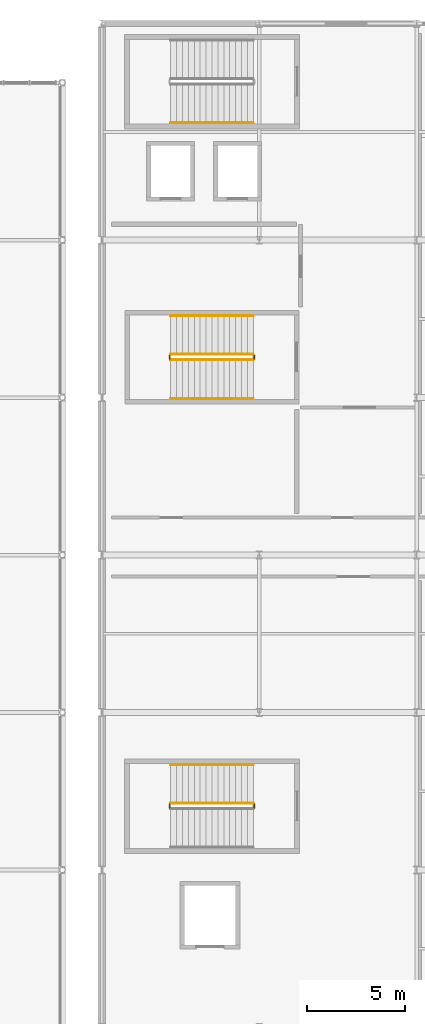
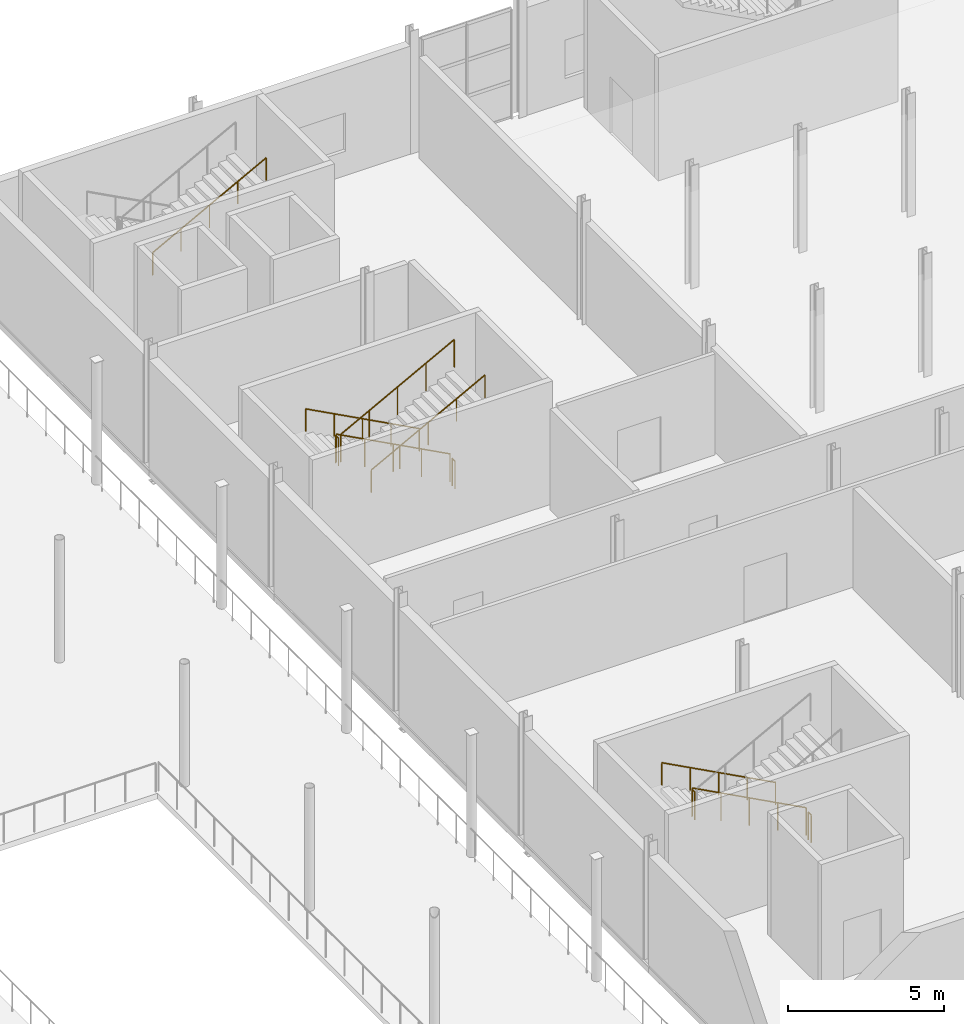
# One storey, part 138 of 143: 11 railings.
"""IFC4 building model written with IfcOpenShell, lengths in metres."""

from ifc_helpers import new_model, si_unit, derived_unit, direction, frame, origin, origin_2d, place, context, subcontext, project, spatial, circle, extrude, material, type_object, element, save


model = new_model("IFC4")

# Units and contexts
model_context = context("Model", 3, precision=1e-05, world=origin(), true_north=direction((0.0, 1.0)))
body_context = subcontext(model_context, "Body", "Model", "MODEL_VIEW")
ifc_project = project(units=[si_unit("LENGTHUNIT", "METRE"), si_unit("AREAUNIT", "SQUARE_METRE"), si_unit("VOLUMEUNIT", "CUBIC_METRE"), si_unit("PLANEANGLEUNIT", "RADIAN"), si_unit("MASSUNIT", "GRAM", prefix="KILO"), derived_unit("THERMALTRANSMITTANCEUNIT", [(si_unit("POWERUNIT", "WATT"), 1), (si_unit("LENGTHUNIT", "METRE"), -2), (si_unit("THERMODYNAMICTEMPERATUREUNIT", "KELVIN"), -1)])], contexts=[model_context])

# Site, building, storey
site_placement = place(None, origin())
site = spatial("IfcSite", under=ifc_project, at=site_placement, CompositionType="ELEMENT")
building_placement = place(site_placement, origin())
building = spatial("IfcBuilding", under=site, at=building_placement, Name="Keldorne Ridge Multi-Sports Centre", CompositionType="ELEMENT")
storey_placement = place(building_placement, frame((0.0, 0.0, 4.800048828125)))
storey = spatial("IfcBuildingStorey", under=building, at=storey_placement, Name="L01", CompositionType="ELEMENT", Elevation=4.800048828125)

# Railings
ifc_material_1 = material(Name="Laminated glass and stainless steel", Category="steel")
railing_type_1 = type_object("IfcRailingType", Name="RLG-BL-01", PredefinedType="BALUSTRADE", material=ifc_material_1)
railing_1_placement = place(storey_placement, frame((111.699951171875, 77.389892578125, 0.159912109375)))
element("IfcRailing", 1, at=railing_1_placement, inside=storey, type_object=railing_type_1, Name="L01 ST-02 stair guard 1", PredefinedType="BALUSTRADE", context=body_context, shape_type="SweptSolid", body=[
    extrude(circle(Radius=0.02392578125, at=origin_2d()), frame((0.0, 0.0, 1.076171875), z_axis=(-0.882351521365, 0.0, 0.470590897432), x_axis=(0.0, -1.0, 0.0)), (0.0, 0.0, 1.0), 4.760009765625),
    extrude(circle(Radius=0.02099609375, at=origin_2d()), origin(), (0.0, 0.0, 1.0), 1.052001953125),
    extrude(circle(Radius=0.02099609375, at=origin_2d()), frame((-1.050048828125, 0.0, 0.56005859375)), (0.0, 0.0, 1.0), 1.052001953125),
    extrude(circle(Radius=0.02099609375, at=origin_2d()), frame((-2.10009765625, 0.0, 1.1201171875)), (0.0, 0.0, 1.0), 1.052001953125),
    extrude(circle(Radius=0.02099609375, at=origin_2d()), frame((-3.14990234375, 0.0, 1.679931640625)), (0.0, 0.0, 1.0), 1.052001953125),
    extrude(circle(Radius=0.02099609375, at=origin_2d()), frame((-4.199951171875, 0.0, 2.239990234375)), (0.0, 0.0, 1.0), 1.052001953125),
])
for number, where, name in (
    (2, (107.449951171875, 77.340087890625, 2.39990234375), "L01 ST-02 stair guard 2"),
    (3, (111.75, 77.340087890625, 0.0), "L01 ST-02 stair guard 4"),
):
    element("IfcRailing", number, at=place(storey_placement, frame(where)), inside=storey, type_object=railing_type_1, Name=name, PredefinedType="BALUSTRADE", context=body_context, shape_type="SweptSolid", body=[
        extrude(circle(Radius=0.02392578125, at=origin_2d()), frame((0.0, 0.0, 1.076171875), z_axis=(0.0, -1.0, 0.0), x_axis=(1.0, 0.0, 0.0)), (0.0, 0.0, 1.0), 0.18017578125),
        extrude(circle(Radius=0.02099609375, at=origin_2d()), origin(), (0.0, 0.0, 1.0), 1.052001953125),
        extrude(circle(Radius=0.02099609375, at=origin_2d()), frame((0.0, -0.18017578125, 0.0)), (0.0, 0.0, 1.0), 1.052001953125),
    ])
railing_2_placement = place(storey_placement, frame((111.699951171875, 100.18994140625, 0.159912109375)))
element("IfcRailing", 4, at=railing_2_placement, inside=storey, type_object=railing_type_1, Name="L01 ST-11 stair guard 1", PredefinedType="BALUSTRADE", context=body_context, shape_type="SweptSolid", body=[
    extrude(circle(Radius=0.02392578125, at=origin_2d()), frame((0.0, 0.0, 1.076171875), z_axis=(-0.882351521365, 0.0, 0.470590897432), x_axis=(0.0, -1.0, 0.0)), (0.0, 0.0, 1.0), 4.760009765625),
    extrude(circle(Radius=0.02099609375, at=origin_2d()), origin(), (0.0, 0.0, 1.0), 1.052001953125),
    extrude(circle(Radius=0.02099609375, at=origin_2d()), frame((-1.050048828125, 0.0, 0.56005859375)), (0.0, 0.0, 1.0), 1.052001953125),
    extrude(circle(Radius=0.02099609375, at=origin_2d()), frame((-2.10009765625, 0.0, 1.1201171875)), (0.0, 0.0, 1.0), 1.052001953125),
    extrude(circle(Radius=0.02099609375, at=origin_2d()), frame((-3.14990234375, 0.0, 1.679931640625)), (0.0, 0.0, 1.0), 1.052001953125),
    extrude(circle(Radius=0.02099609375, at=origin_2d()), frame((-4.199951171875, 0.0, 2.239990234375)), (0.0, 0.0, 1.0), 1.052001953125),
])
railing_3_placement = place(storey_placement, frame((107.449951171875, 100.139892578125, 2.39990234375)))
element("IfcRailing", 5, at=railing_3_placement, inside=storey, type_object=railing_type_1, Name="L01 ST-11 stair guard 2", PredefinedType="BALUSTRADE", context=body_context, shape_type="SweptSolid", body=[
    extrude(circle(Radius=0.02392578125, at=origin_2d()), frame((0.0, 0.0, 1.076171875), z_axis=(0.0, -1.0, 0.0), x_axis=(1.0, 0.0, 0.0)), (0.0, 0.0, 1.0), 0.179931640625),
    extrude(circle(Radius=0.02099609375, at=origin_2d()), origin(), (0.0, 0.0, 1.0), 1.052001953125),
    extrude(circle(Radius=0.02099609375, at=origin_2d()), frame((0.0, -0.179931640625, 0.0)), (0.0, 0.0, 1.0), 1.052001953125),
])
railing_4_placement = place(storey_placement, frame((107.5, 99.909912109375, 2.56005859375)))
element("IfcRailing", 6, at=railing_4_placement, inside=storey, type_object=railing_type_1, Name="L01 ST-11 stair guard 3", PredefinedType="BALUSTRADE", context=body_context, shape_type="SweptSolid", body=[
    extrude(circle(Radius=0.02392578125, at=origin_2d()), frame((0.0, 0.0, 1.076171875), z_axis=(0.882351521365, 0.0, 0.470590897432), x_axis=(0.0, 1.0, 0.0)), (0.0, 0.0, 1.0), 4.760009765625),
    extrude(circle(Radius=0.02099609375, at=origin_2d()), origin(), (0.0, 0.0, 1.0), 1.052001953125),
    extrude(circle(Radius=0.02099609375, at=origin_2d()), frame((1.050048828125, 0.0, 0.56005859375)), (0.0, 0.0, 1.0), 1.052001953125),
    extrude(circle(Radius=0.02099609375, at=origin_2d()), frame((2.10009765625, 0.0, 1.1201171875)), (0.0, 0.0, 1.0), 1.052001953125),
    extrude(circle(Radius=0.02099609375, at=origin_2d()), frame((3.14990234375, 0.0, 1.679931640625)), (0.0, 0.0, 1.0), 1.052001953125),
    extrude(circle(Radius=0.02099609375, at=origin_2d()), frame((4.199951171875, 0.0, 2.239990234375)), (0.0, 0.0, 1.0), 1.052001953125),
])
railing_5_placement = place(storey_placement, frame((111.75, 100.139892578125, 0.0)))
element("IfcRailing", 7, at=railing_5_placement, inside=storey, type_object=railing_type_1, Name="L01 ST-11 stair guard 4", PredefinedType="BALUSTRADE", context=body_context, shape_type="SweptSolid", body=[
    extrude(circle(Radius=0.02392578125, at=origin_2d()), frame((0.0, 0.0, 1.076171875), z_axis=(0.0, -1.0, 0.0), x_axis=(1.0, 0.0, 0.0)), (0.0, 0.0, 1.0), 0.179931640625),
    extrude(circle(Radius=0.02099609375, at=origin_2d()), origin(), (0.0, 0.0, 1.0), 1.052001953125),
    extrude(circle(Radius=0.02099609375, at=origin_2d()), frame((0.0, -0.179931640625, 0.0)), (0.0, 0.0, 1.0), 1.052001953125),
])
ifc_material_2 = material(Name="Stainless steel", Category="steel")
railing_type_2 = type_object("IfcRailingType", Name="RLG-HR-01", PredefinedType="HANDRAIL", material=ifc_material_2)
railing_6_placement = place(storey_placement, frame((107.5, 111.949951171875, 2.56005859375)))
element("IfcRailing", 8, at=railing_6_placement, inside=storey, type_object=railing_type_2, Name="L01 ST-01 stair handrail 2", PredefinedType="HANDRAIL", context=body_context, shape_type="SweptSolid", body=[
    extrude(circle(Radius=0.02392578125, at=origin_2d()), frame((0.0, 0.0, 0.8759765625), z_axis=(0.882351521365, 0.0, 0.470590897432), x_axis=(0.0, 1.0, 0.0)), (0.0, 0.0, 1.0), 4.760009765625),
    extrude(circle(Radius=0.02099609375, at=origin_2d()), origin(), (0.0, 0.0, 1.0), 0.851806640625),
    extrude(circle(Radius=0.02099609375, at=origin_2d()), frame((1.050048828125, 0.0, 0.56005859375)), (0.0, 0.0, 1.0), 0.851806640625),
    extrude(circle(Radius=0.02099609375, at=origin_2d()), frame((2.10009765625, 0.0, 1.1201171875)), (0.0, 0.0, 1.0), 0.851806640625),
    extrude(circle(Radius=0.02099609375, at=origin_2d()), frame((3.14990234375, 0.0, 1.679931640625)), (0.0, 0.0, 1.0), 0.851806640625),
    extrude(circle(Radius=0.02099609375, at=origin_2d()), frame((4.199951171875, 0.0, 2.239990234375)), (0.0, 0.0, 1.0), 0.851806640625),
])
for number, where, name in (
    (9, (111.699951171875, 79.35009765625, 0.159912109375), "L01 ST-02 stair handrail 1"),
    (10, (111.699951171875, 102.14990234375, 0.159912109375), "L01 ST-11 stair handrail 1"),
):
    element("IfcRailing", number, at=place(storey_placement, frame(where)), inside=storey, type_object=railing_type_2, Name=name, PredefinedType="HANDRAIL", context=body_context, shape_type="SweptSolid", body=[
        extrude(circle(Radius=0.02392578125, at=origin_2d()), frame((0.0, 0.0, 0.8759765625), z_axis=(-0.882351521365, 0.0, 0.470590897432), x_axis=(0.0, -1.0, 0.0)), (0.0, 0.0, 1.0), 4.760009765625),
        extrude(circle(Radius=0.02099609375, at=origin_2d()), origin(), (0.0, 0.0, 1.0), 0.851806640625),
        extrude(circle(Radius=0.02099609375, at=origin_2d()), frame((-1.050048828125, 0.0, 0.56005859375)), (0.0, 0.0, 1.0), 0.851806640625),
        extrude(circle(Radius=0.02099609375, at=origin_2d()), frame((-2.10009765625, 0.0, 1.1201171875)), (0.0, 0.0, 1.0), 0.851806640625),
        extrude(circle(Radius=0.02099609375, at=origin_2d()), frame((-3.14990234375, 0.0, 1.679931640625)), (0.0, 0.0, 1.0), 0.851806640625),
        extrude(circle(Radius=0.02099609375, at=origin_2d()), frame((-4.199951171875, 0.0, 2.239990234375)), (0.0, 0.0, 1.0), 0.851806640625),
    ])
railing_7_placement = place(storey_placement, frame((107.5, 97.949951171875, 2.56005859375)))
element("IfcRailing", 11, at=railing_7_placement, inside=storey, type_object=railing_type_2, Name="L01 ST-11 stair handrail 2", PredefinedType="HANDRAIL", context=body_context, shape_type="SweptSolid", body=[
    extrude(circle(Radius=0.02392578125, at=origin_2d()), frame((0.0, 0.0, 0.8759765625), z_axis=(0.882351521365, 0.0, 0.470590897432), x_axis=(0.0, 1.0, 0.0)), (0.0, 0.0, 1.0), 4.760009765625),
    extrude(circle(Radius=0.02099609375, at=origin_2d()), origin(), (0.0, 0.0, 1.0), 0.851806640625),
    extrude(circle(Radius=0.02099609375, at=origin_2d()), frame((1.050048828125, 0.0, 0.56005859375)), (0.0, 0.0, 1.0), 0.851806640625),
    extrude(circle(Radius=0.02099609375, at=origin_2d()), frame((2.10009765625, 0.0, 1.1201171875)), (0.0, 0.0, 1.0), 0.851806640625),
    extrude(circle(Radius=0.02099609375, at=origin_2d()), frame((3.14990234375, 0.0, 1.679931640625)), (0.0, 0.0, 1.0), 0.851806640625),
    extrude(circle(Radius=0.02099609375, at=origin_2d()), frame((4.199951171875, 0.0, 2.239990234375)), (0.0, 0.0, 1.0), 0.851806640625),
])

save(model, "model.ifc")
